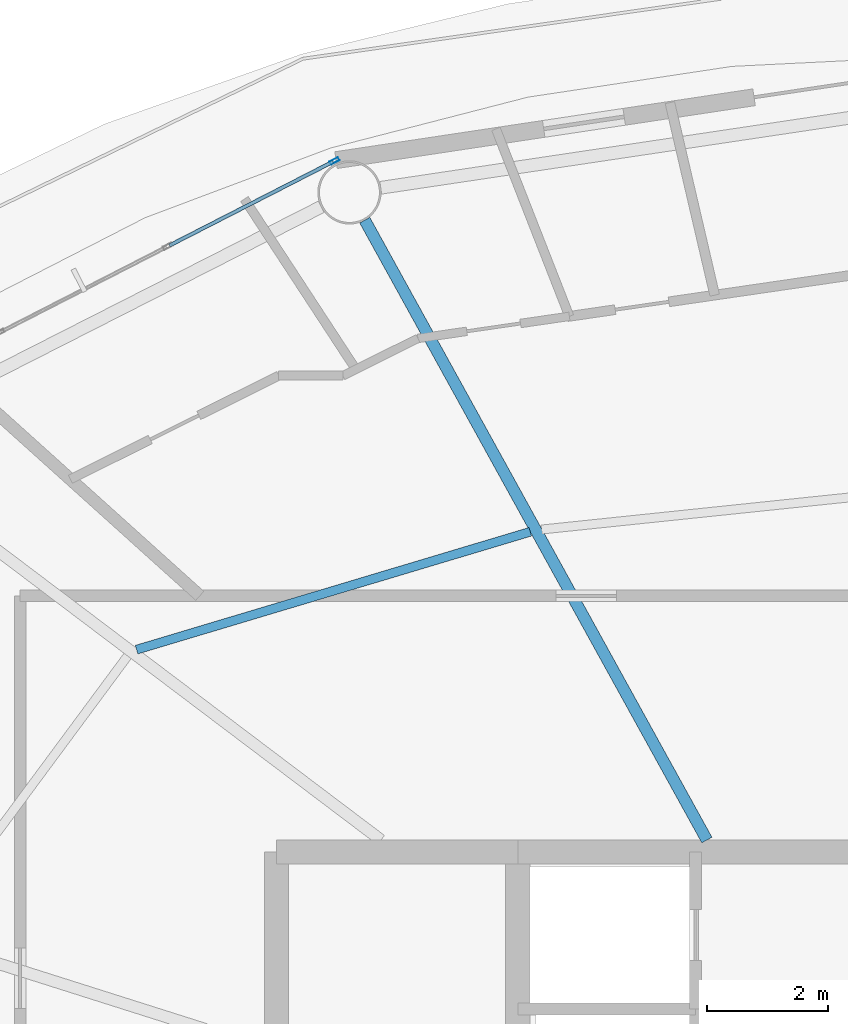
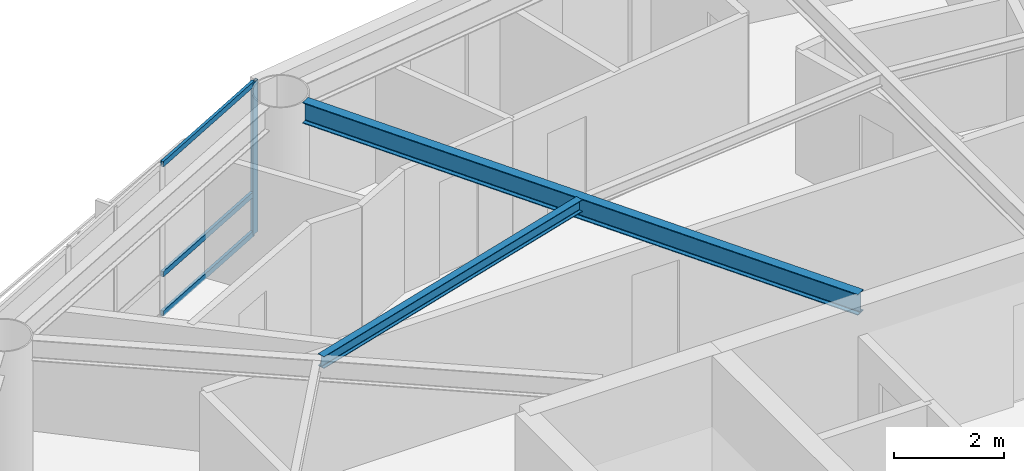
# One storey, part 9 of 23: 4 members, 2 beams, 1 element without a shape of its own.
"""IFC4 building model written with IfcOpenShell, lengths in metres."""

from ifc_helpers import new_model, si_unit, direction, frame, origin, origin_2d, place, context, subcontext, project, spatial, hollow_rectangle, i_section, extrude, material, layer, layer_set, material_profile, profile_set, type_object, element, aggregate, save


model = new_model("IFC4")

# Units and contexts
model_context = context("Model", 3, precision=1e-05, world=origin(), true_north=direction((0.0, 1.0)))
body_context = subcontext(model_context, "Body", "Model", "MODEL_VIEW")
ifc_project = project(units=[si_unit("LENGTHUNIT", "METRE"), si_unit("AREAUNIT", "SQUARE_METRE"), si_unit("VOLUMEUNIT", "CUBIC_METRE"), si_unit("PLANEANGLEUNIT", "RADIAN"), si_unit("MASSUNIT", "GRAM", prefix="KILO")], contexts=[model_context])

# Site, building, storey
site_placement = place(None, origin())
site = spatial("IfcSite", under=ifc_project, at=site_placement, CompositionType="ELEMENT")
building_placement = place(site_placement, origin())
building = spatial("IfcBuilding", under=site, at=building_placement, Name="Sarneth Arch Tower", CompositionType="ELEMENT")
storey_placement = place(building_placement, frame((0.0, 0.0, 246.0)))
storey = spatial("IfcBuildingStorey", under=building, at=storey_placement, Name="L63", CompositionType="ELEMENT", Elevation=246.0)

# Beams
ifc_material_1 = material(Name="Steel S355", Category="steel")
ifc_material_profile_1 = material_profile(ifc_material_1, i_section(OverallWidth=0.14794921875, OverallDepth=0.26611328125, WebThickness=0.007568359375, FlangeThickness=0.012939453125, FilletRadius=0.012939453125, at=origin_2d()), Name="W250x44.8")
ifc_profile_set_1 = profile_set([ifc_material_profile_1], Name="Steel S355")
beam_type_1 = type_object("IfcBeamType", Name="BM-JOIST-250", PredefinedType="JOIST", material=ifc_profile_set_1)
beam_1_placement = place(storey_placement, frame((41.20751953125, 54.11181640625, 3.22705078125), z_axis=(-0.957984908347, -0.286818610589, 0.0), x_axis=(0.286818610589, -0.957984908347, 0.0)))
element("IfcBeam", 1, at=beam_1_placement, inside=storey, type_object=beam_type_1, Name="L63 Secondary floor joist 06", PredefinedType="JOIST", context=body_context, shape_type="SweptSolid", body=[
    extrude(i_section(OverallWidth=0.14794921875, OverallDepth=0.26611328125, WebThickness=0.007568359375, FlangeThickness=0.012939453125, FilletRadius=0.012939453125, at=origin_2d()), origin(), (0.0, 0.0, 1.0), 6.81396484375),
])
ifc_material_2 = material(Name="Steel S355", Category="steel")
ifc_material_profile_2 = material_profile(ifc_material_2, i_section(OverallWidth=0.19189453125, OverallDepth=0.462890625, WebThickness=0.010498046875, FlangeThickness=0.017578125, FilletRadius=0.01806640625, at=origin_2d()), Name="W460x89")
ifc_profile_set_2 = profile_set([ifc_material_profile_2], Name="Steel S355")
beam_type_2 = type_object("IfcBeamType", Name="BM-RAD-460B", PredefinedType="BEAM", material=ifc_profile_set_2)
beam_2_placement = place(storey_placement, frame((44.13623046875, 49.0, 3.12841796875), z_axis=(-0.483225760768, 0.875495781903, 0.0), x_axis=(-0.875495781903, -0.483225760768, 0.0)))
element("IfcBeam", 2, at=beam_2_placement, inside=storey, type_object=beam_type_2, Name="L63 Radial floor girder 06", PredefinedType="BEAM", context=body_context, shape_type="SweptSolid", body=[
    extrude(i_section(OverallWidth=0.19189453125, OverallDepth=0.462890625, WebThickness=0.010498046875, FlangeThickness=0.017578125, FilletRadius=0.01806640625, at=origin_2d()), origin(), (0.0, 0.0, 1.0), 11.740478515625),
])

# Curtain wall, members
ifc_material_3 = material(Name="Anodised aluminium Type AA25 and solar-control low-e laminated IGU", Category="aluminium")
ifc_layer = layer(ifc_material_3, 0.179931640625)
ifc_layer_set = layer_set([ifc_layer], Name="Anodised aluminium Type AA25 and solar-control low-e laminated IGU")
curtain_wall_type = type_object("IfcCurtainWallType", Name="CW-RES-HIGH", PredefinedType="NOTDEFINED", material=ifc_layer_set)
curtain_wall_placement = place(storey_placement, origin())
curtain_wall = element("IfcCurtainWall", 3, at=curtain_wall_placement, inside=storey, type_object=curtain_wall_type, Name="L63 Unitised curtain wall facet 06", PredefinedType="NOTDEFINED")
ifc_material_4 = material(Name="Anodised Aluminium 6063-T6", Category="aluminium")
ifc_material_profile_3 = material_profile(ifc_material_4, hollow_rectangle(XDim=0.06005859375, YDim=0.159912109375, WallThickness=0.00390625, at=origin_2d()), Name="AL-MULL-160x60x4")
ifc_profile_set_3 = profile_set([ifc_material_profile_3], Name="Anodised Aluminium 6063-T6")
member_type_1 = type_object("IfcMemberType", Name="CW-MULLION", PredefinedType="MULLION", material=ifc_profile_set_3)
member_1_placement = place(storey_placement, frame((37.960693359375, 60.2607421875, 0.0), z_axis=(0.0, 0.0, 1.0), x_axis=(0.455941901753, -0.890009540525, 0.0)))
member_1 = element("IfcMember", 4, at=member_1_placement, type_object=member_type_1, Name="CW-SYS-6 mullion 1", PredefinedType="MULLION", context=body_context, shape_type="SweptSolid", body=[
    extrude(hollow_rectangle(XDim=0.06005859375, YDim=0.159912109375, WallThickness=0.00390625, at=origin_2d()), origin(), (0.0, 0.0, 1.0), 3.360107421875),
])
ifc_material_5 = material(Name="Anodised Aluminium 6063-T6", Category="aluminium")
ifc_material_profile_4 = material_profile(ifc_material_5, hollow_rectangle(XDim=0.06005859375, YDim=0.1201171875, WallThickness=0.00390625, at=origin_2d()), Name="AL-TRAN-120x60x4")
ifc_profile_set_4 = profile_set([ifc_material_profile_4], Name="Anodised Aluminium 6063-T6")
member_type_2 = type_object("IfcMemberType", Name="CW-TRANSOM", PredefinedType="USERDEFINED", material=ifc_profile_set_4)
member_2_placement = place(storey_placement, frame((37.933837890625, 60.2470703125, 0.030029296875), z_axis=(-0.889973523166, -0.456012201662, 0.0), x_axis=(0.456012201662, -0.889973523166, 0.0)))
member_2 = element("IfcMember", 5, at=member_2_placement, type_object=member_type_2, Name="CW-SYS-6 transom 1.1", ObjectType="TRANSOM", PredefinedType="USERDEFINED", context=body_context, shape_type="SweptSolid", body=[
    extrude(hollow_rectangle(XDim=0.06005859375, YDim=0.1201171875, WallThickness=0.00390625, at=origin_2d()), origin(), (0.0, 0.0, 1.0), 3.044677734375),
])
member_3_placement = place(storey_placement, frame((37.933837890625, 60.2470703125, 0.89990234375), z_axis=(-0.889973523166, -0.456012201662, 0.0), x_axis=(0.456012201662, -0.889973523166, 0.0)))
member_3 = element("IfcMember", 6, at=member_3_placement, type_object=member_type_2, Name="CW-SYS-6 transom 1.2", ObjectType="TRANSOM", PredefinedType="USERDEFINED", context=body_context, shape_type="SweptSolid", body=[
    extrude(hollow_rectangle(XDim=0.06005859375, YDim=0.1201171875, WallThickness=0.00390625, at=origin_2d()), origin(), (0.0, 0.0, 1.0), 3.044677734375),
])
member_4_placement = place(storey_placement, frame((37.933837890625, 60.2470703125, 3.330078125), z_axis=(-0.889973523166, -0.456012201662, 0.0), x_axis=(0.456012201662, -0.889973523166, 0.0)))
member_4 = element("IfcMember", 7, at=member_4_placement, type_object=member_type_2, Name="CW-SYS-6 transom 1.3", ObjectType="TRANSOM", PredefinedType="USERDEFINED", context=body_context, shape_type="SweptSolid", body=[
    extrude(hollow_rectangle(XDim=0.06005859375, YDim=0.1201171875, WallThickness=0.00390625, at=origin_2d()), origin(), (0.0, 0.0, 1.0), 3.044677734375),
])
aggregate(curtain_wall, [member_1, member_2, member_3, member_4])

save(model, "model.ifc")
